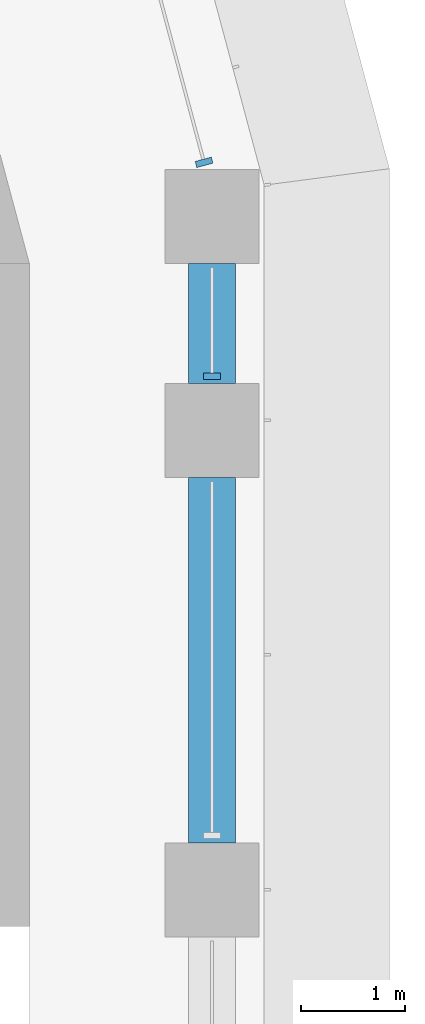
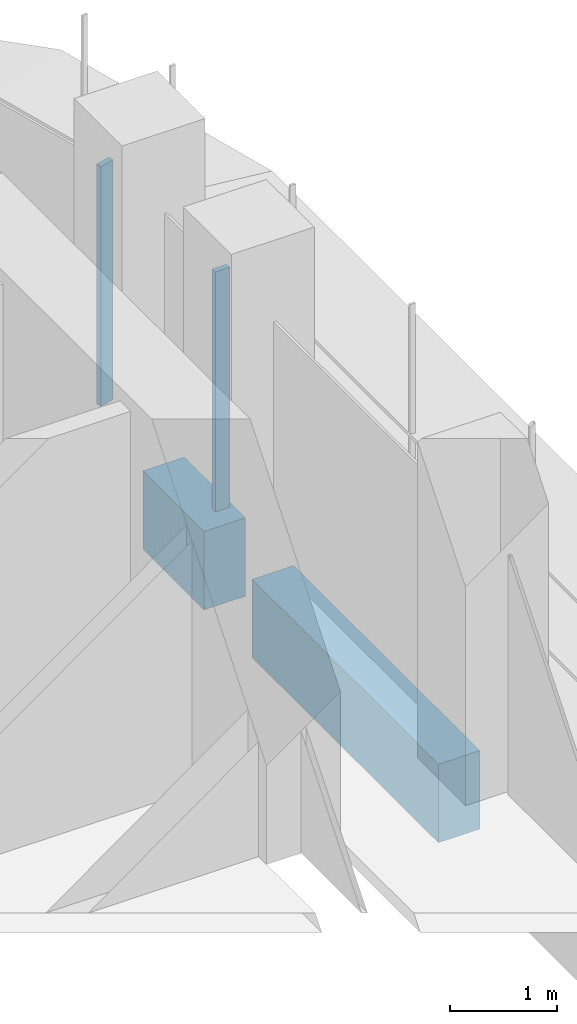
# One storey, part 9 of 22: 2 beams, 2 members, 2 elements without a shape of their own.
"""IFC4 building model written with IfcOpenShell, lengths in metres."""

from ifc_helpers import new_model, si_unit, direction, frame, origin, origin_2d, place, context, subcontext, project, spatial, polyline, rectangle, outline, extrude, source, transform, mapped, material, material_profile, profile_set, type_object, element, aggregate, save


model = new_model("IFC4")

# Units and contexts
model_context = context("Model", 3, precision=1e-05, world=origin(), true_north=direction((0.0, 1.0)))
body_context = subcontext(model_context, "Body", "Model", "MODEL_VIEW")
ifc_project = project(units=[si_unit("LENGTHUNIT", "METRE"), si_unit("AREAUNIT", "SQUARE_METRE"), si_unit("VOLUMEUNIT", "CUBIC_METRE"), si_unit("PLANEANGLEUNIT", "RADIAN"), si_unit("MASSUNIT", "GRAM", prefix="KILO")], contexts=[model_context])

# Site, building, storey
site_placement = place(None, origin())
site = spatial("IfcSite", under=ifc_project, at=site_placement, CompositionType="ELEMENT")
building_placement = place(site_placement, origin())
building = spatial("IfcBuilding", under=site, at=building_placement, Name="Zarbagh Exchange Tower", CompositionType="ELEMENT")
storey_placement = place(building_placement, frame((0.0, 0.0, 105.60009765625)))
storey = spatial("IfcBuildingStorey", under=building, at=storey_placement, Name="L24", CompositionType="ELEMENT", Elevation=105.60009765625)

# Beams
ifc_material_1 = material(Name="Concrete C60/75", Category="concrete")
ifc_material_profile = material_profile(ifc_material_1, rectangle(XDim=0.449951171875, YDim=0.89990234375, at=origin_2d()), Name="RC spandrel beam 450 x 900 C60/75")
ifc_profile_set = profile_set([ifc_material_profile], Name="Concrete C60/75")
beam_type = type_object("IfcBeamType", Name="RC spandrel beam 450 x 900 C60/75", PredefinedType="SPANDREL", material=ifc_profile_set)
beam_1_placement = place(storey_placement, frame((6.25, 26.25, -0.60009765625), z_axis=(0.0, -1.0, 0.0), x_axis=(1.0, 0.0, 0.0)))
element("IfcBeam", 1, at=beam_1_placement, inside=storey, type_object=beam_type, Name="RC spandrel beam", PredefinedType="SPANDREL", context=body_context, shape_type="SweptSolid", body=[
    extrude(rectangle(XDim=0.449951171875, YDim=0.89990234375, at=origin_2d()), origin(), (0.0, 0.0, 1.0), 1.14990234375),
])
beam_2_placement = place(storey_placement, frame((6.25, 24.199951171875, -0.60009765625), z_axis=(0.0, -1.0, 0.0), x_axis=(1.0, 0.0, 0.0)))
element("IfcBeam", 2, at=beam_2_placement, inside=storey, type_object=beam_type, Name="RC spandrel beam", PredefinedType="SPANDREL", context=body_context, shape_type="SweptSolid", body=[
    extrude(rectangle(XDim=0.449951171875, YDim=0.89990234375, at=origin_2d()), origin(), (0.0, 0.0, 1.0), 3.5),
])

# Curtain wall, member
ifc_material_2 = material(Name="Anodised aluminium frame and glazing", Category="aluminium")
curtain_wall_type = type_object("IfcCurtainWallType", Name="CWA Ribbon glazing, lower zones", PredefinedType="NOTDEFINED", material=ifc_material_2)
curtain_wall_1_placement = place(storey_placement, origin())
curtain_wall_1 = element("IfcCurtainWall", 3, at=curtain_wall_1_placement, inside=storey, type_object=curtain_wall_type, Name="CWA49 curtain wall", PredefinedType="NOTDEFINED")
ifc_material_3 = material(Name="Anodised aluminium frame", Category="aluminium")
member_type = type_object("IfcMemberType", Name="MUA Mullion, anodised aluminium frame", PredefinedType="MULLION", material=ifc_material_3)
shared_shape = source(origin(), body_context, "Body", "SweptSolid", [
    extrude(outline(polyline([(0.0, -0.080078125), (0.06005859375, -0.080078125), (0.06005859375, 0.080078125), (0.0, 0.080078125), (0.0, -0.080078125)])), origin(), (0.0, 0.0, 1.0), 2.75),
])
placement = place(storey_placement, origin())
member_1 = element("IfcMember", 4, at=placement, type_object=member_type, Name="CWA49 mullion 4.1", PredefinedType="MULLION", context=body_context, shape_type="MappedRepresentation", body=[
    mapped(shared_shape, transform((6.25, 25.14013671875, 0.0), x_axis=(0.0, 1.0, 0.0), y_axis=(-1.0, 0.0, 0.0), z_axis=(0.0, 0.0, 1.0))),
])
aggregate(curtain_wall_1, [member_1])

curtain_wall_2_placement = place(storey_placement, origin())
curtain_wall_2 = element("IfcCurtainWall", 5, at=curtain_wall_2_placement, inside=storey, type_object=curtain_wall_type, Name="CWA50 curtain wall", PredefinedType="NOTDEFINED")
member_2 = element("IfcMember", 6, at=placement, type_object=member_type, Name="CWA50 mullion 1.1", PredefinedType="MULLION", context=body_context, shape_type="MappedRepresentation", body=[
    mapped(shared_shape, transform((6.181396484375, 27.18994140625, 0.0), x_axis=(-0.258824779902, 0.965924289636, 0.0), y_axis=(-0.965924289636, -0.258824779902, 0.0), z_axis=(0.0, 0.0, 1.0))),
])
aggregate(curtain_wall_2, [member_2])

save(model, "model.ifc")
